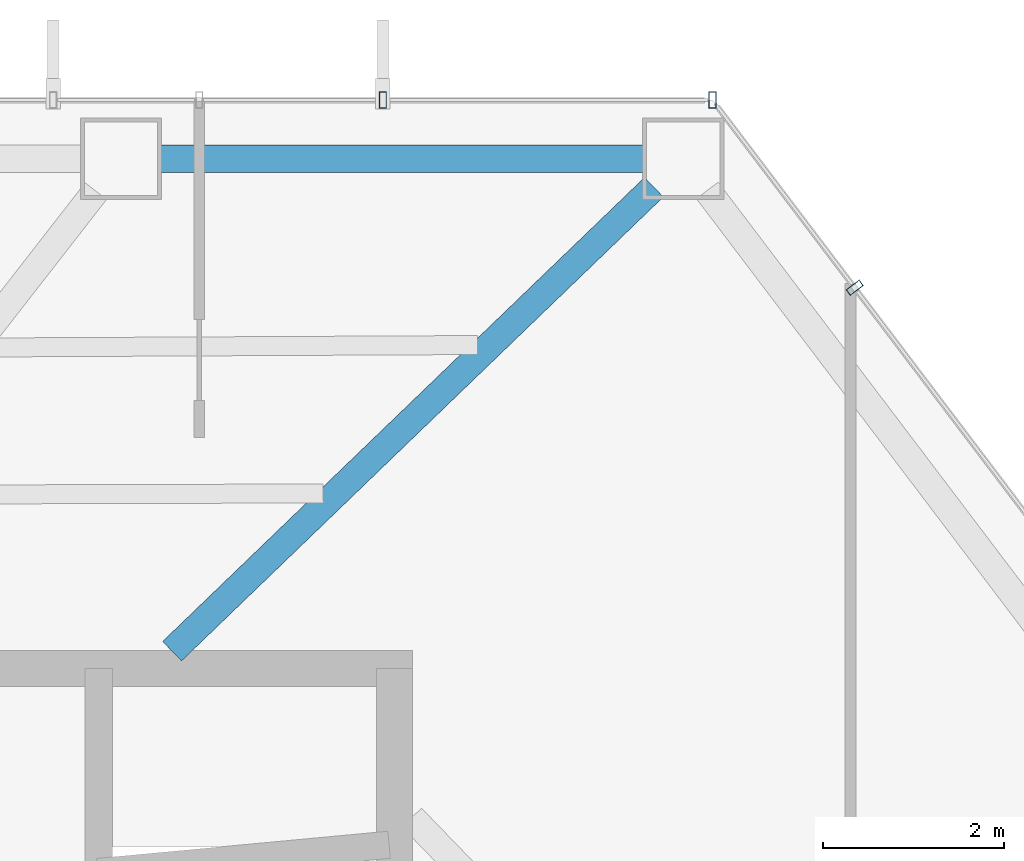
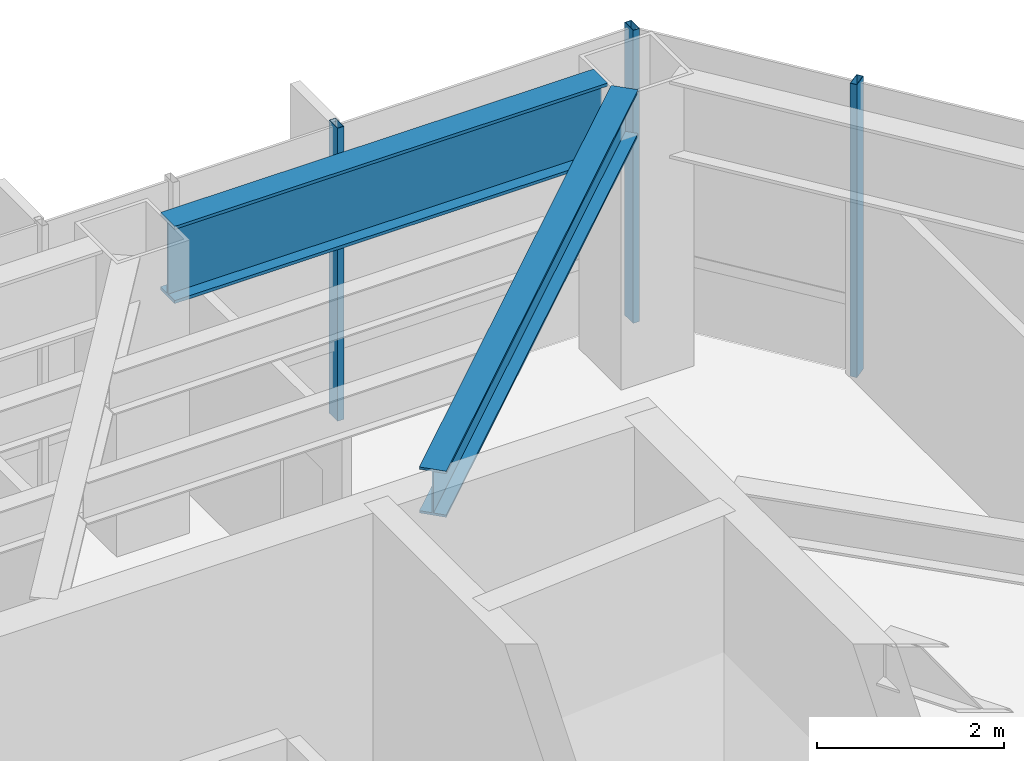
# One storey, part 18 of 24: 3 members, 2 beams, 2 elements without a shape of their own.
"""IFC4 building model written with IfcOpenShell, lengths in metres."""

from ifc_helpers import new_model, si_unit, direction, frame, origin, origin_2d, place, context, subcontext, project, spatial, hollow_rectangle, i_section, extrude, material, layer, layer_set, material_profile, profile_set, type_object, element, aggregate, save


model = new_model("IFC4")

# Units and contexts
model_context = context("Model", 3, precision=1e-05, world=origin(), true_north=direction((0.0, 1.0)))
body_context = subcontext(model_context, "Body", "Model", "MODEL_VIEW")
ifc_project = project(units=[si_unit("LENGTHUNIT", "METRE"), si_unit("AREAUNIT", "SQUARE_METRE"), si_unit("VOLUMEUNIT", "CUBIC_METRE"), si_unit("PLANEANGLEUNIT", "RADIAN"), si_unit("MASSUNIT", "GRAM", prefix="KILO")], contexts=[model_context])

# Site, building, storey
site_placement = place(None, origin())
site = spatial("IfcSite", under=ifc_project, at=site_placement, CompositionType="ELEMENT")
building_placement = place(site_placement, origin())
building = spatial("IfcBuilding", under=site, at=building_placement, Name="Zarrinselat Tower", CompositionType="ELEMENT")
storey_placement = place(building_placement, frame((0.0, 0.0, 76.5)))
storey = spatial("IfcBuildingStorey", under=building, at=storey_placement, Name="L18", CompositionType="ELEMENT", Elevation=76.5)

# Beams
ifc_material_1 = material(Name="Steel S355J2", Category="steel")
ifc_material_profile_1 = material_profile(ifc_material_1, i_section(OverallWidth=0.300048828125, OverallDepth=0.60009765625, WebThickness=0.015380859375, FlangeThickness=0.030029296875, at=origin_2d()), Name="HEB 600")
ifc_profile_set_1 = profile_set([ifc_material_profile_1], Name="Steel S355J2")
beam_type_1 = type_object("IfcBeamType", Name="BM-HEB600", PredefinedType="BEAM", material=ifc_profile_set_1)
beam_1_placement = place(storey_placement, frame((45.800048828125, 43.639892578125, 3.52001953125), z_axis=(0.720349534402, 0.69361123714, 0.0), x_axis=(-0.69361123714, 0.720349534402, 0.0)))
element("IfcBeam", 1, at=beam_1_placement, inside=storey, type_object=beam_type_1, Name="L18 Radial Primary Girder RG01", PredefinedType="BEAM", context=body_context, shape_type="SweptSolid", body=[
    extrude(i_section(OverallWidth=0.300048828125, OverallDepth=0.60009765625, WebThickness=0.015380859375, FlangeThickness=0.030029296875, at=origin_2d()), origin(), (0.0, 0.0, 1.0), 7.39599609375),
])
ifc_material_2 = material(Name="Steel S460M", Category="steel")
ifc_material_profile_2 = material_profile(ifc_material_2, i_section(OverallWidth=0.302001953125, OverallDepth=1.008056640625, WebThickness=0.02099609375, FlangeThickness=0.0400390625, at=origin_2d()), Name="HEM 1000")
ifc_profile_set_2 = profile_set([ifc_material_profile_2], Name="Steel S460M")
beam_type_2 = type_object("IfcBeamType", Name="BM-HEM1000", PredefinedType="BEAM", material=ifc_profile_set_2)
beam_2_placement = place(storey_placement, frame((45.673095703125, 49.083251953125, 3.31591796875), z_axis=(1.0, 0.0, 0.0), x_axis=(0.0, 1.0, 0.0)))
element("IfcBeam", 2, at=beam_2_placement, inside=storey, type_object=beam_type_2, Name="L18 Perimeter Spandrel Girder SP01", PredefinedType="BEAM", context=body_context, shape_type="SweptSolid", body=[
    extrude(i_section(OverallWidth=0.302001953125, OverallDepth=1.008056640625, WebThickness=0.02099609375, FlangeThickness=0.0400390625, at=origin_2d()), origin(), (0.0, 0.0, 1.0), 5.342041015625),
])

# Curtain wall, members
ifc_material_3 = material(Name="Extruded Aluminium Alloy EN AW-6063 T6", Category="aluminium")
ifc_layer = layer(ifc_material_3, 0.18505859375)
ifc_layer_set = layer_set([ifc_layer], Name="Extruded Aluminium Alloy EN AW-6063 T6")
curtain_wall_type = type_object("IfcCurtainWallType", Name="CWS-OFF", PredefinedType="NOTDEFINED", material=ifc_layer_set)
curtain_wall_1_placement = place(storey_placement, origin())
curtain_wall_1 = element("IfcCurtainWall", 3, at=curtain_wall_1_placement, inside=storey, type_object=curtain_wall_type, Name="L18 Unitised Curtain Wall CW-L18-E01", PredefinedType="NOTDEFINED")
ifc_material_4 = material(Name="Extruded Aluminium Alloy EN AW-6063 T6", Category="aluminium")
ifc_material_profile_3 = material_profile(ifc_material_4, hollow_rectangle(XDim=0.080078125, YDim=0.179931640625, WallThickness=0.0048828125, at=origin_2d()), Name="RHS 180x80x5")
ifc_profile_set_3 = profile_set([ifc_material_profile_3], Name="Extruded Aluminium Alloy EN AW-6063 T6")
member_type = type_object("IfcMemberType", Name="MEM-CW-MUL", PredefinedType="MULLION", material=ifc_profile_set_3)
member_1_placement = place(storey_placement, frame((51.776123046875, 49.7333984375, 0.0), z_axis=(0.0, 0.0, 1.0), x_axis=(-1.0, 0.0, 0.0)))
member_1 = element("IfcMember", 4, at=member_1_placement, type_object=member_type, Name="CW-L18-E01 Mullion 0", PredefinedType="MULLION", context=body_context, shape_type="SweptSolid", body=[
    extrude(hollow_rectangle(XDim=0.080078125, YDim=0.179931640625, WallThickness=0.0048828125, at=origin_2d()), origin(), (0.0, 0.0, 1.0), 3.820068359375),
])
member_2_placement = place(storey_placement, frame((48.130859375, 49.7333984375, 0.0), z_axis=(0.0, 0.0, 1.0), x_axis=(-1.0, 0.0, 0.0)))
member_2 = element("IfcMember", 5, at=member_2_placement, type_object=member_type, Name="CW-L18-E01 Mullion 1", PredefinedType="MULLION", context=body_context, shape_type="SweptSolid", body=[
    extrude(hollow_rectangle(XDim=0.080078125, YDim=0.179931640625, WallThickness=0.0048828125, at=origin_2d()), origin(), (0.0, 0.0, 1.0), 3.820068359375),
])
aggregate(curtain_wall_1, [member_1, member_2])

# Curtain wall, member
curtain_wall_2_placement = place(storey_placement, origin())
curtain_wall_2 = element("IfcCurtainWall", 6, at=curtain_wall_2_placement, inside=storey, type_object=curtain_wall_type, Name="L18 Unitised Curtain Wall CW-L18-E06", PredefinedType="NOTDEFINED")
member_3_placement = place(storey_placement, frame((53.347900390625, 47.65869140625, 0.0), z_axis=(0.0, 0.0, 1.0), x_axis=(-0.603856545426, 0.797093013736, 0.0)))
member_3 = element("IfcMember", 7, at=member_3_placement, type_object=member_type, Name="CW-L18-E06 Mullion 4", PredefinedType="MULLION", context=body_context, shape_type="SweptSolid", body=[
    extrude(hollow_rectangle(XDim=0.080078125, YDim=0.179931640625, WallThickness=0.0048828125, at=origin_2d()), origin(), (0.0, 0.0, 1.0), 3.820068359375),
])
aggregate(curtain_wall_2, [member_3])

save(model, "model.ifc")
